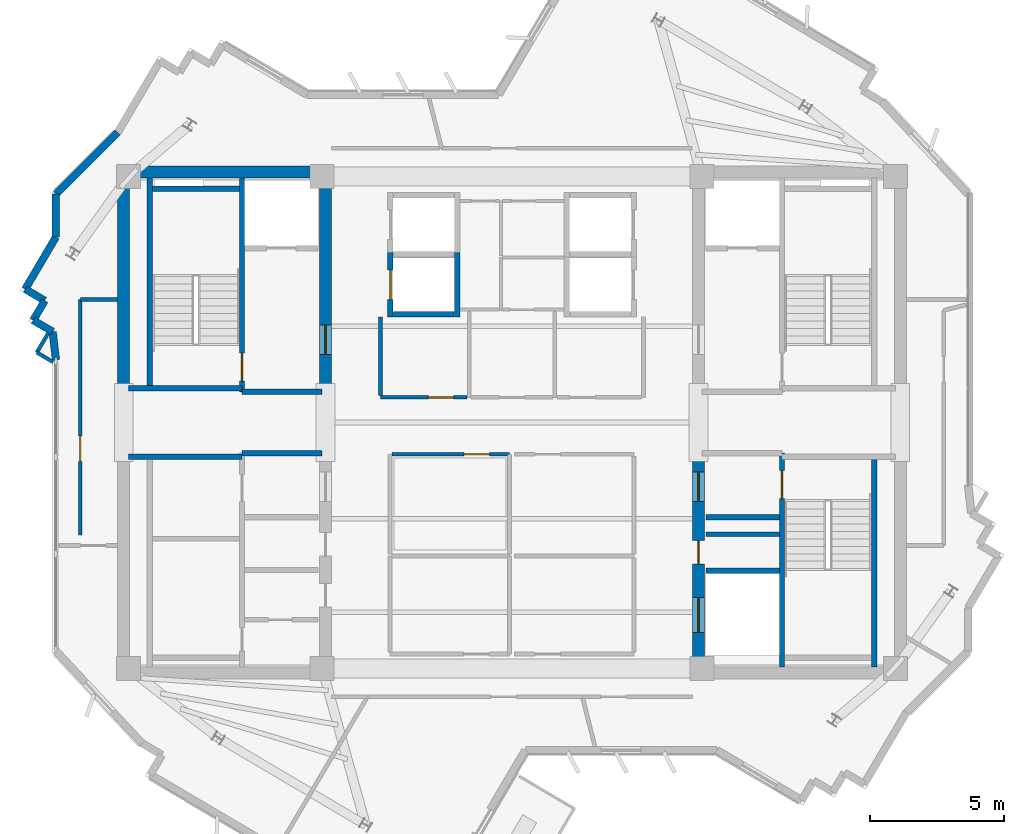
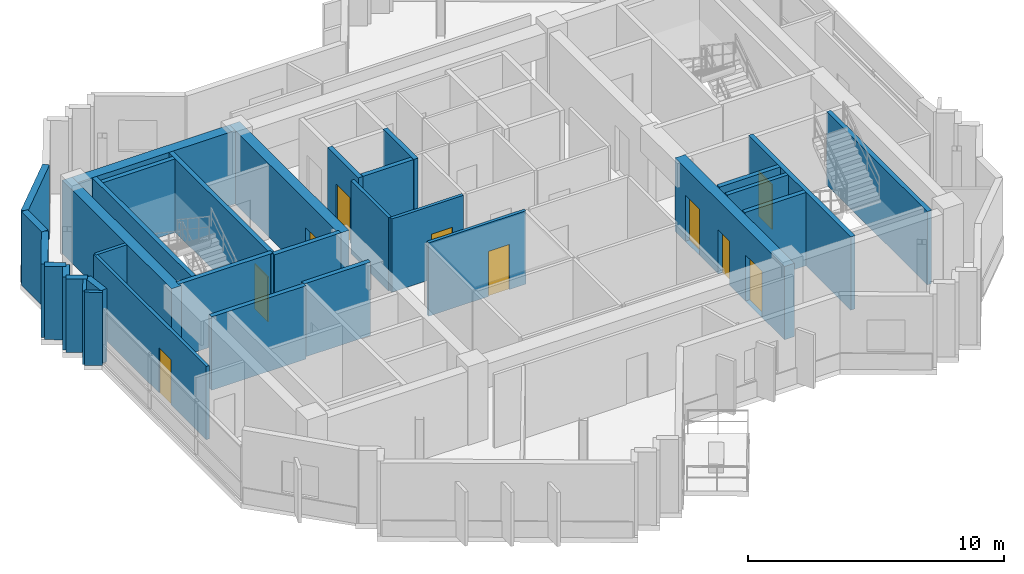
# One storey, part 5 of 10: 33 walls, 10 doors, 10 openings.
"""IFC4 building model written with IfcOpenShell, lengths in metres."""

from ifc_helpers import new_model, si_unit, direction, frame, frame_2d, origin, place, context, subcontext, project, spatial, rectangle, extrude, source, transform, mapped, material, layer, layer_set, type_object, element, fill, save


model = new_model("IFC4")

# Units and contexts
model_context = context("Model", 3, precision=1e-05, world=origin(), true_north=direction((0.0, 1.0)))
body_context = subcontext(model_context, "Body", "Model", "MODEL_VIEW")
ifc_project = project(units=[si_unit("LENGTHUNIT", "METRE"), si_unit("AREAUNIT", "SQUARE_METRE"), si_unit("VOLUMEUNIT", "CUBIC_METRE"), si_unit("PLANEANGLEUNIT", "RADIAN"), si_unit("MASSUNIT", "GRAM", prefix="KILO")], contexts=[model_context])

# Site, building, storey
site_placement = place(None, origin())
site = spatial("IfcSite", under=ifc_project, at=site_placement, CompositionType="ELEMENT")
building_placement = place(site_placement, origin())
building = spatial("IfcBuilding", under=site, at=building_placement, Name="Zahravan Cultural Tower", CompositionType="ELEMENT")
storey_placement = place(building_placement, frame((0.0, 0.0, 342.300048828125)))
storey = spatial("IfcBuildingStorey", under=building, at=storey_placement, Name="L83", CompositionType="ELEMENT", Elevation=342.300048828125)

# Wall, opening, door
ifc_material_1 = material(Name="Concrete C50/60", Category="concrete")
ifc_layer_1 = layer(ifc_material_1, 0.449951171875)
ifc_layer_set_1 = layer_set([ifc_layer_1], Name="Concrete C50/60")
wall_type_1 = type_object("IfcWallType", Name="CW-SHEAR-450-C50", PredefinedType="SHEAR", material=ifc_layer_set_1)
wall_1_placement = place(storey_placement, frame((29.02490234375, 28.050048828125, 0.0), z_axis=(0.0, 0.0, 1.0), x_axis=(0.0, 1.0, 0.0)))
wall_1 = element("IfcWall", 1, at=wall_1_placement, inside=storey, type_object=wall_type_1, Name="L83 Core Shear Wall CW-W-EN-L83", PredefinedType="SHEAR", context=body_context, shape_type="SweptSolid", body=[
    extrude(rectangle(XDim=8.550048828125, YDim=0.449951171875, at=frame_2d((4.27490234375, 0.0))), origin(), (0.0, 0.0, 1.0), 3.5),
])
opening_1_placement = place(wall_1_placement, frame((1.5, 0.0, 0.0)))
opening_1 = element("IfcOpeningElement", 2, at=opening_1_placement, cuts=wall_1, Name="Opening D-L83-06", PredefinedType="OPENING", context=body_context, shape_type="SweptSolid", body=[
    extrude(rectangle(XDim=1.10009765625, YDim=2.199951171875, at=frame_2d((0.550048828125, 1.10009765625))), frame((0.0, 0.23486328125, 0.0), z_axis=(0.0, -1.0, 0.0), x_axis=(1.0, 0.0, 0.0)), (0.0, 0.0, 1.0), 0.469970703125),
])
ifc_material_2 = material(Name="Steel ASTM A572 Grade 50", Category="steel")
door_type_1 = type_object("IfcDoorType", Name="DR-LOBBY-1100", OperationType="NOTDEFINED", PredefinedType="DOOR", material=ifc_material_2)
shared_shape_1 = source(origin(), body_context, "Body", "SweptSolid", [
    extrude(rectangle(XDim=1.10009765625, YDim=2.199951171875, at=frame_2d((0.550048828125, 1.10009765625))), frame((0.0, 0.02490234375, 0.0), z_axis=(0.0, -1.0, 0.0), x_axis=(1.0, 0.0, 0.0)), (0.0, 0.0, 1.0), 0.050048828125),
])
door_1_placement = place(opening_1_placement, origin())
door_1 = element("IfcDoor", 3, at=door_1_placement, inside=storey, type_object=door_type_1, Name="L83 Door D-L83-06", OperationType="SINGLE_SWING_LEFT", OverallHeight=2.199951171875, OverallWidth=1.10009765625, PredefinedType="DOOR", context=body_context, shape_type="MappedRepresentation", body=[
    mapped(shared_shape_1, transform((0.0, 0.0, 0.0), x_axis=(1.0, 0.0, 0.0), y_axis=(0.0, 1.0, 0.0), z_axis=(0.0, 0.0, 1.0), scale=1.0)),
])
fill(opening_1, door_1)

# Wall, openings, doors
wall_2_placement = place(storey_placement, frame((42.97509765625, 17.39990234375, 0.0), z_axis=(0.0, 0.0, 1.0), x_axis=(0.0, 1.0, 0.0)))
wall_2 = element("IfcWall", 4, at=wall_2_placement, inside=storey, type_object=wall_type_1, Name="L83 Core Shear Wall CW-E-WS-L83", PredefinedType="SHEAR", context=body_context, shape_type="SweptSolid", body=[
    extrude(rectangle(XDim=8.550048828125, YDim=0.449951171875, at=frame_2d((4.27490234375, 0.0))), origin(), (0.0, 0.0, 1.0), 3.5),
])
opening_2_placement = place(wall_2_placement, frame((6.64990234375, 0.0, 0.0)))
opening_2 = element("IfcOpeningElement", 5, at=opening_2_placement, cuts=wall_2, Name="Opening D-L83-09", PredefinedType="OPENING", context=body_context, shape_type="SweptSolid", body=[
    extrude(rectangle(XDim=1.10009765625, YDim=2.199951171875, at=frame_2d((0.550048828125, 1.10009765625))), frame((0.0, 0.23486328125, 0.0), z_axis=(0.0, -1.0, 0.0), x_axis=(1.0, 0.0, 0.0)), (0.0, 0.0, 1.0), 0.469970703125),
])
opening_3_placement = place(wall_2_placement, frame((1.75, 0.0, 0.0)))
opening_3 = element("IfcOpeningElement", 6, at=opening_3_placement, cuts=wall_2, Name="Opening LD-L83-03", PredefinedType="OPENING", context=body_context, shape_type="SweptSolid", body=[
    extrude(rectangle(XDim=1.300048828125, YDim=2.199951171875, at=frame_2d((0.64990234375, 1.10009765625))), frame((0.0, 0.23486328125, 0.0), z_axis=(0.0, -1.0, 0.0), x_axis=(1.0, 0.0, 0.0)), (0.0, 0.0, 1.0), 0.469970703125),
])
opening_4_placement = place(wall_2_placement, frame((4.300048828125, 0.0, 0.0)))
opening_4 = element("IfcOpeningElement", 7, at=opening_4_placement, cuts=wall_2, Name="Opening D-L83-13", PredefinedType="OPENING", context=body_context, shape_type="SweptSolid", body=[
    extrude(rectangle(XDim=0.8798828125, YDim=2.10009765625, at=frame_2d((0.43994140625, 1.050048828125))), frame((0.0, 0.23486328125, 0.0), z_axis=(0.0, -1.0, 0.0), x_axis=(1.0, 0.0, 0.0)), (0.0, 0.0, 1.0), 0.469970703125),
])
door_2_placement = place(opening_2_placement, origin())
door_2 = element("IfcDoor", 8, at=door_2_placement, inside=storey, type_object=door_type_1, Name="L83 Door D-L83-09", OperationType="SINGLE_SWING_RIGHT", OverallHeight=2.199951171875, OverallWidth=1.10009765625, PredefinedType="DOOR", context=body_context, shape_type="MappedRepresentation", body=[
    mapped(shared_shape_1, transform((0.0, 0.0, 0.0), x_axis=(1.0, 0.0, 0.0), y_axis=(0.0, 1.0, 0.0), z_axis=(0.0, 0.0, 1.0), scale=1.0)),
])
fill(opening_2, door_2)
door_type_2 = type_object("IfcDoorType", Name="DR-LIFT-1300", OperationType="DOUBLE_DOOR_SLIDING", PredefinedType="DOOR", material=ifc_material_2)
shared_shape_2 = source(origin(), body_context, "Body", "SweptSolid", [
    extrude(rectangle(XDim=1.300048828125, YDim=2.199951171875, at=frame_2d((0.64990234375, 1.10009765625))), frame((0.0, 0.02490234375, 0.0), z_axis=(0.0, -1.0, 0.0), x_axis=(1.0, 0.0, 0.0)), (0.0, 0.0, 1.0), 0.050048828125),
])
door_3_placement = place(opening_3_placement, origin())
door_3 = element("IfcDoor", 9, at=door_3_placement, inside=storey, type_object=door_type_2, Name="L83 Door LD-L83-03", OperationType="DOUBLE_DOOR_SLIDING", OverallHeight=2.199951171875, OverallWidth=1.300048828125, PredefinedType="DOOR", context=body_context, shape_type="MappedRepresentation", body=[
    mapped(shared_shape_2, transform((0.0, 0.0, 0.0), x_axis=(1.0, 0.0, 0.0), y_axis=(0.0, 1.0, 0.0), z_axis=(0.0, 0.0, 1.0), scale=1.0)),
])
fill(opening_3, door_3)
door_type_3 = type_object("IfcDoorType", Name="DR-SVC-880", OperationType="NOTDEFINED", PredefinedType="DOOR", material=ifc_material_2)
shared_shape_3 = source(origin(), body_context, "Body", "SweptSolid", [
    extrude(rectangle(XDim=0.8798828125, YDim=2.10009765625, at=frame_2d((0.43994140625, 1.050048828125))), frame((0.0, 0.02490234375, 0.0), z_axis=(0.0, -1.0, 0.0), x_axis=(1.0, 0.0, 0.0)), (0.0, 0.0, 1.0), 0.050048828125),
])
door_4_placement = place(opening_4_placement, origin())
door_4 = element("IfcDoor", 10, at=door_4_placement, inside=storey, type_object=door_type_3, Name="L83 Door D-L83-13", OperationType="SINGLE_SWING_RIGHT", OverallHeight=2.10009765625, OverallWidth=0.8798828125, PredefinedType="DOOR", context=body_context, shape_type="MappedRepresentation", body=[
    mapped(shared_shape_3, transform((0.0, 0.0, 0.0), x_axis=(1.0, 0.0, 0.0), y_axis=(0.0, 1.0, 0.0), z_axis=(0.0, 0.0, 1.0), scale=1.0)),
])
fill(opening_4, door_4)

# Wall, opening, door
ifc_material_3 = material(Name="Gypsum plasterboard partition")
ifc_layer_2 = layer(ifc_material_3, 0.139892578125)
ifc_layer_set_2 = layer_set([ifc_layer_2], Name="Gypsum plasterboard partition")
wall_type_2 = type_object("IfcWallType", Name="W-PART-140", PredefinedType="PARTITIONING", material=ifc_layer_set_2)
wall_3_placement = place(storey_placement, frame((34.324951171875, 27.93994140625, 0.0), z_axis=(0.0, 0.0, 1.0), x_axis=(-1.0, 0.0, 0.0)))
wall_3 = element("IfcWall", 11, at=wall_3_placement, inside=storey, type_object=wall_type_2, Name="L83 Interior Wall 054", PredefinedType="PARTITIONING", context=body_context, shape_type="SweptSolid", body=[
    extrude(rectangle(XDim=3.244873046875, YDim=0.139892578125, at=frame_2d((1.62255859375, 0.0))), origin(), (0.0, 0.0, 1.0), 3.5),
])
opening_5_placement = place(wall_3_placement, frame((0.5048828125, 0.0, 0.0)))
opening_5 = element("IfcOpeningElement", 12, at=opening_5_placement, cuts=wall_3, Name="Opening D-L83-20", PredefinedType="OPENING", context=body_context, shape_type="SweptSolid", body=[
    extrude(rectangle(XDim=0.949951171875, YDim=2.14990234375, at=frame_2d((0.47509765625, 1.074951171875))), frame((0.0, 0.079833984375, 0.0), z_axis=(0.0, -1.0, 0.0), x_axis=(1.0, 0.0, 0.0)), (0.0, 0.0, 1.0), 0.159912109375),
])
ifc_material_4 = material(Name="Anodised bronze-aluminium mullion", Category="aluminium")
door_type_4 = type_object("IfcDoorType", Name="DR-ROOM-950", OperationType="NOTDEFINED", PredefinedType="DOOR", material=ifc_material_4)
shared_shape_4 = source(origin(), body_context, "Body", "SweptSolid", [
    extrude(rectangle(XDim=0.949951171875, YDim=2.14990234375, at=frame_2d((0.47509765625, 1.074951171875))), frame((0.0, 0.02490234375, 0.0), z_axis=(0.0, -1.0, 0.0), x_axis=(1.0, 0.0, 0.0)), (0.0, 0.0, 1.0), 0.050048828125),
])
door_5_placement = place(opening_5_placement, origin())
door_5 = element("IfcDoor", 13, at=door_5_placement, inside=storey, type_object=door_type_4, Name="L83 Door D-L83-20", OperationType="SINGLE_SWING_LEFT", OverallHeight=2.14990234375, OverallWidth=0.949951171875, PredefinedType="DOOR", context=body_context, shape_type="MappedRepresentation", body=[
    mapped(shared_shape_4, transform((0.0, 0.0, 0.0), x_axis=(1.0, 0.0, 0.0), y_axis=(0.0, 1.0, 0.0), z_axis=(0.0, 0.0, 1.0), scale=1.0)),
])
fill(opening_5, door_5)

wall_4_placement = place(storey_placement, frame((31.514892578125, 25.81005859375, 0.0), z_axis=(0.0, 0.0, 1.0), x_axis=(1.0, 0.0, 0.0)))
wall_4 = element("IfcWall", 14, at=wall_4_placement, inside=storey, type_object=wall_type_2, Name="L83 Interior Wall 066", PredefinedType="PARTITIONING", context=body_context, shape_type="SweptSolid", body=[
    extrude(rectangle(XDim=4.39501953125, YDim=0.139892578125, at=frame_2d((2.197509765625, 0.0))), origin(), (0.0, 0.0, 1.0), 3.5),
])
opening_6_placement = place(wall_4_placement, frame((2.68701171875, 0.0, 0.0)))
opening_6 = element("IfcOpeningElement", 15, at=opening_6_placement, cuts=wall_4, Name="Opening D-L83-15", PredefinedType="OPENING", context=body_context, shape_type="SweptSolid", body=[
    extrude(rectangle(XDim=0.949951171875, YDim=2.14990234375, at=frame_2d((0.47509765625, 1.074951171875))), frame((0.0, 0.079833984375, 0.0), z_axis=(0.0, -1.0, 0.0), x_axis=(1.0, 0.0, 0.0)), (0.0, 0.0, 1.0), 0.159912109375),
])
door_6_placement = place(opening_6_placement, origin())
door_6 = element("IfcDoor", 16, at=door_6_placement, inside=storey, type_object=door_type_4, Name="L83 Door D-L83-15", OperationType="SINGLE_SWING_RIGHT", OverallHeight=2.14990234375, OverallWidth=0.949951171875, PredefinedType="DOOR", context=body_context, shape_type="MappedRepresentation", body=[
    mapped(shared_shape_4, transform((0.0, 0.0, 0.0), x_axis=(1.0, 0.0, 0.0), y_axis=(0.0, 1.0, 0.0), z_axis=(0.0, 0.0, 1.0), scale=1.0)),
])
fill(opening_6, door_6)

wall_5_placement = place(storey_placement, frame((19.8525390625, 31.59765625, 0.0), z_axis=(0.0, 0.0, 1.0), x_axis=(-0.00027740789, -0.999999961522, 0.0)))
wall_5 = element("IfcWall", 17, at=wall_5_placement, inside=storey, type_object=wall_type_2, Name="L83 Interior Wall 083", PredefinedType="PARTITIONING", context=body_context, shape_type="SweptSolid", body=[
    extrude(rectangle(XDim=8.80078125, YDim=0.139892578125, at=frame_2d((4.400390625, 0.0))), origin(), (0.0, 0.0, 1.0), 3.5),
])
opening_7_placement = place(wall_5_placement, frame((5.10302734375, 0.0, 0.0)))
opening_7 = element("IfcOpeningElement", 18, at=opening_7_placement, cuts=wall_5, Name="Opening D-L83-24", PredefinedType="OPENING", context=body_context, shape_type="SweptSolid", body=[
    extrude(rectangle(XDim=0.949951171875, YDim=2.14990234375, at=frame_2d((0.47509765625, 1.074951171875))), frame((0.0, 0.079833984375, 0.0), z_axis=(0.0, -1.0, 0.0), x_axis=(1.0, 0.0, 0.0)), (0.0, 0.0, 1.0), 0.159912109375),
])
door_7_placement = place(opening_7_placement, origin())
door_7 = element("IfcDoor", 19, at=door_7_placement, inside=storey, type_object=door_type_4, Name="L83 Door D-L83-24", OperationType="SINGLE_SWING_LEFT", OverallHeight=2.14990234375, OverallWidth=0.949951171875, PredefinedType="DOOR", context=body_context, shape_type="MappedRepresentation", body=[
    mapped(shared_shape_4, transform((0.0, 0.0, 0.0), x_axis=(1.0, 0.0, 0.0), y_axis=(0.0, 1.0, 0.0), z_axis=(0.0, 0.0, 1.0), scale=1.0)),
])
fill(opening_7, door_7)

ifc_material_5 = material(Name="Concrete C45/55", Category="concrete")
ifc_layer_3 = layer(ifc_material_5, 0.199951171875)
ifc_layer_set_3 = layer_set([ifc_layer_3], Name="Concrete C45/55")
wall_type_3 = type_object("IfcWallType", Name="W-SHAFT-200", PredefinedType="SOLIDWALL", material=ifc_layer_set_3)
wall_6_placement = place(storey_placement, frame((25.89990234375, 28.14990234375, 0.0), z_axis=(0.0, 0.0, 1.0), x_axis=(0.0, 1.0, 0.0)))
wall_6 = element("IfcWall", 20, at=wall_6_placement, inside=storey, type_object=wall_type_3, Name="L83 Interior Wall 006", PredefinedType="SOLIDWALL", context=body_context, shape_type="SweptSolid", body=[
    extrude(rectangle(XDim=8.0, YDim=0.199951171875, at=frame_2d((4.0, 0.0))), origin(), (0.0, 0.0, 1.0), 3.5),
])
opening_8_placement = place(wall_6_placement, frame((0.39990234375, 0.0, 0.0)))
opening_8 = element("IfcOpeningElement", 21, at=opening_8_placement, cuts=wall_6, Name="Opening D-L83-01", PredefinedType="OPENING", context=body_context, shape_type="SweptSolid", body=[
    extrude(rectangle(XDim=1.050048828125, YDim=2.14990234375, at=frame_2d((0.52490234375, 1.074951171875))), frame((0.0, 0.10986328125, 0.0), z_axis=(0.0, -1.0, 0.0), x_axis=(1.0, 0.0, 0.0)), (0.0, 0.0, 1.0), 0.219970703125),
])
door_type_5 = type_object("IfcDoorType", Name="DR-STAIR-1050", OperationType="NOTDEFINED", PredefinedType="DOOR", material=ifc_material_2)
shared_shape_5 = source(origin(), body_context, "Body", "SweptSolid", [
    extrude(rectangle(XDim=1.050048828125, YDim=2.14990234375, at=frame_2d((0.52490234375, 1.074951171875))), frame((0.0, 0.02490234375, 0.0), z_axis=(0.0, -1.0, 0.0), x_axis=(1.0, 0.0, 0.0)), (0.0, 0.0, 1.0), 0.050048828125),
])
door_8_placement = place(opening_8_placement, origin())
door_8 = element("IfcDoor", 22, at=door_8_placement, inside=storey, type_object=door_type_5, Name="L83 Door D-L83-01", OperationType="SINGLE_SWING_RIGHT", OverallHeight=2.14990234375, OverallWidth=1.050048828125, PredefinedType="DOOR", context=body_context, shape_type="MappedRepresentation", body=[
    mapped(shared_shape_5, transform((0.0, 0.0, 0.0), x_axis=(1.0, 0.0, 0.0), y_axis=(0.0, 1.0, 0.0), z_axis=(0.0, 0.0, 1.0), scale=1.0)),
])
fill(opening_8, door_8)

wall_7_placement = place(storey_placement, frame((46.10009765625, 17.85009765625, 0.0), z_axis=(0.0, 0.0, 1.0), x_axis=(0.0, 1.0, 0.0)))
wall_7 = element("IfcWall", 23, at=wall_7_placement, inside=storey, type_object=wall_type_3, Name="L83 Interior Wall 007", PredefinedType="SOLIDWALL", context=body_context, shape_type="SweptSolid", body=[
    extrude(rectangle(XDim=8.0, YDim=0.199951171875, at=frame_2d((4.0, 0.0))), origin(), (0.0, 0.0, 1.0), 3.5),
])
opening_9_placement = place(wall_7_placement, frame((6.300048828125, 0.0, 0.0)))
opening_9 = element("IfcOpeningElement", 24, at=opening_9_placement, cuts=wall_7, Name="Opening D-L83-03", PredefinedType="OPENING", context=body_context, shape_type="SweptSolid", body=[
    extrude(rectangle(XDim=1.050048828125, YDim=2.14990234375, at=frame_2d((0.52490234375, 1.074951171875))), frame((0.0, 0.10986328125, 0.0), z_axis=(0.0, -1.0, 0.0), x_axis=(1.0, 0.0, 0.0)), (0.0, 0.0, 1.0), 0.219970703125),
])
door_9_placement = place(opening_9_placement, origin())
door_9 = element("IfcDoor", 25, at=door_9_placement, inside=storey, type_object=door_type_5, Name="L83 Door D-L83-03", OperationType="SINGLE_SWING_RIGHT", OverallHeight=2.14990234375, OverallWidth=1.050048828125, PredefinedType="DOOR", context=body_context, shape_type="MappedRepresentation", body=[
    mapped(shared_shape_5, transform((0.0, 0.0, 0.0), x_axis=(1.0, 0.0, 0.0), y_axis=(0.0, 1.0, 0.0), z_axis=(0.0, 0.0, 1.0), scale=1.0)),
])
fill(opening_9, door_9)

wall_8_placement = place(storey_placement, frame((31.449951171875, 30.949951171875, 0.0), z_axis=(0.0, 0.0, 1.0), x_axis=(0.0, 1.0, 0.0)))
wall_8 = element("IfcWall", 26, at=wall_8_placement, inside=storey, type_object=wall_type_3, Name="L83 Interior Wall 034", PredefinedType="SOLIDWALL", context=body_context, shape_type="SweptSolid", body=[
    extrude(rectangle(XDim=2.400146484375, YDim=0.199951171875, at=frame_2d((1.2001953125, 0.0))), origin(), (0.0, 0.0, 1.0), 3.5),
])
opening_10_placement = place(wall_8_placement, frame((0.64990234375, 0.0, 0.0)))
opening_10 = element("IfcOpeningElement", 27, at=opening_10_placement, cuts=wall_8, Name="Opening LD-L83-05", PredefinedType="OPENING", context=body_context, shape_type="SweptSolid", body=[
    extrude(rectangle(XDim=1.10009765625, YDim=2.14990234375, at=frame_2d((0.550048828125, 1.074951171875))), frame((0.0, 0.10986328125, 0.0), z_axis=(0.0, -1.0, 0.0), x_axis=(1.0, 0.0, 0.0)), (0.0, 0.0, 1.0), 0.219970703125),
])
door_type_6 = type_object("IfcDoorType", Name="DR-LIFT-1100", OperationType="DOUBLE_DOOR_SLIDING", PredefinedType="DOOR", material=ifc_material_2)
shared_shape_6 = source(origin(), body_context, "Body", "SweptSolid", [
    extrude(rectangle(XDim=1.10009765625, YDim=2.14990234375, at=frame_2d((0.550048828125, 1.074951171875))), frame((0.0, 0.02490234375, 0.0), z_axis=(0.0, -1.0, 0.0), x_axis=(1.0, 0.0, 0.0)), (0.0, 0.0, 1.0), 0.050048828125),
])
door_10_placement = place(opening_10_placement, origin())
door_10 = element("IfcDoor", 28, at=door_10_placement, inside=storey, type_object=door_type_6, Name="L83 Door LD-L83-05", OperationType="DOUBLE_DOOR_SLIDING", OverallHeight=2.14990234375, OverallWidth=1.10009765625, PredefinedType="DOOR", context=body_context, shape_type="MappedRepresentation", body=[
    mapped(shared_shape_6, transform((0.0, 0.0, 0.0), x_axis=(1.0, 0.0, 0.0), y_axis=(0.0, 1.0, 0.0), z_axis=(0.0, 0.0, 1.0), scale=1.0)),
])
fill(opening_10, door_10)

# Walls
shared_shape_7 = source(origin(), body_context, "Body", "SweptSolid", [
    extrude(rectangle(XDim=8.550048828125, YDim=0.449951171875, at=frame_2d((4.27490234375, 0.0))), origin(), (0.0, 0.0, 1.0), 3.5),
])
wall_9_placement = place(storey_placement, frame((21.47509765625, 28.050048828125, 0.0), z_axis=(0.0, 0.0, 1.0), x_axis=(0.0, 1.0, 0.0)))
element("IfcWall", 29, at=wall_9_placement, inside=storey, type_object=wall_type_1, Name="L83 Core Shear Wall CW-W-WN-L83", PredefinedType="SHEAR", context=body_context, shape_type="MappedRepresentation", body=[
    mapped(shared_shape_7, transform((0.0, 0.0, 0.0), x_axis=(1.0, 0.0, 0.0), y_axis=(0.0, 1.0, 0.0), z_axis=(0.0, 0.0, 1.0), scale=1.0)),
])
shared_shape_8 = source(origin(), body_context, "Body", "SweptSolid", [
    extrude(rectangle(XDim=7.10009765625, YDim=0.449951171875, at=frame_2d((3.550048828125, 0.0))), origin(), (0.0, 0.0, 1.0), 3.5),
])
wall_10_placement = place(storey_placement, frame((21.699951171875, 36.375, 0.0), z_axis=(0.0, 0.0, 1.0), x_axis=(1.0, 0.0, 0.0)))
element("IfcWall", 30, at=wall_10_placement, inside=storey, type_object=wall_type_1, Name="L83 Core Shear Wall CW-W-N-L83", PredefinedType="SHEAR", context=body_context, shape_type="MappedRepresentation", body=[
    mapped(shared_shape_8, transform((0.0, 0.0, 0.0), x_axis=(1.0, 0.0, 0.0), y_axis=(0.0, 1.0, 0.0), z_axis=(0.0, 0.0, 1.0), scale=1.0)),
])
ifc_material_6 = material(Name="Precast concrete C40/50", Category="concrete")
ifc_layer_4 = layer(ifc_material_6, 0.280029296875)
ifc_layer_set_4 = layer_set([ifc_layer_4], Name="Precast concrete C40/50")
wall_type_4 = type_object("IfcWallType", Name="EW-TC-280", PredefinedType="SOLIDWALL", material=ifc_layer_set_4)
shared_shape_9 = source(origin(), body_context, "Body", "SweptSolid", [
    extrude(rectangle(XDim=0.85009765625, YDim=0.280029296875, at=frame_2d((0.425048828125, 0.0))), origin(), (0.0, 0.0, 1.0), 3.5),
])
for number, where, z_axis, x_axis, name in (
    (31, (18.820068359375, 30.3935546875, 0.0), (0.0, 0.0, 1.0), (-0.861320788154, 0.508061511919, 0.0), "L83 Exterior Masonry Frame Wall 34"),
    (32, (18.087890625, 30.825439453125, 0.0), (0.0, 0.0, 1.0), (0.508274533332, 0.861195099131, 0.0), "L83 Exterior Masonry Frame Wall 35"),
):
    element("IfcWall", number, at=place(storey_placement, frame(where, z_axis=z_axis, x_axis=x_axis)), inside=storey, type_object=wall_type_4, Name=name, PredefinedType="SOLIDWALL", context=body_context, shape_type="MappedRepresentation", body=[
        mapped(shared_shape_9, transform((0.0, 0.0, 0.0), x_axis=(1.0, 0.0, 0.0), y_axis=(0.0, 1.0, 0.0), z_axis=(0.0, 0.0, 1.0), scale=1.0)),
    ])
shared_shape_10 = source(origin(), body_context, "Body", "SweptSolid", [
    extrude(rectangle(XDim=0.849853515625, YDim=0.280029296875, at=frame_2d((0.4248046875, 0.0))), origin(), (0.0, 0.0, 1.0), 3.5),
])
wall_11_placement = place(storey_placement, frame((18.52001953125, 31.5576171875, 0.0), z_axis=(0.0, 0.0, 1.0), x_axis=(-0.861246626019, 0.508187218622, 0.0)))
element("IfcWall", 33, at=wall_11_placement, inside=storey, type_object=wall_type_4, Name="L83 Exterior Masonry Frame Wall 36", PredefinedType="SOLIDWALL", context=body_context, shape_type="MappedRepresentation", body=[
    mapped(shared_shape_10, transform((0.0, 0.0, 0.0), x_axis=(1.0, 0.0, 0.0), y_axis=(0.0, 1.0, 0.0), z_axis=(0.0, 0.0, 1.0), scale=1.0)),
])
shared_shape_11 = source(origin(), body_context, "Body", "SweptSolid", [
    extrude(rectangle(XDim=1.064697265625, YDim=0.280029296875, at=frame_2d((0.5322265625, 0.0))), origin(), (0.0, 0.0, 1.0), 3.5),
])
wall_12_placement = place(storey_placement, frame((18.93994140625, 29.335693359375, 0.0), z_axis=(0.0, 0.0, 1.0), x_axis=(-0.112595815397, 0.993640871923, 0.0)))
element("IfcWall", 34, at=wall_12_placement, inside=storey, type_object=wall_type_4, Name="L83 Exterior Masonry Frame Wall 33", PredefinedType="SOLIDWALL", context=body_context, shape_type="MappedRepresentation", body=[
    mapped(shared_shape_11, transform((0.0, 0.0, 0.0), x_axis=(1.0, 0.0, 0.0), y_axis=(0.0, 1.0, 0.0), z_axis=(0.0, 0.0, 1.0), scale=1.0)),
])
shared_shape_12 = source(origin(), body_context, "Body", "SweptSolid", [
    extrude(rectangle(XDim=2.266357421875, YDim=0.280029296875, at=frame_2d((1.13330078125, 0.0))), origin(), (0.0, 0.0, 1.0), 3.5),
])
wall_13_placement = place(storey_placement, frame((17.7880859375, 31.989501953125, 0.0), z_axis=(0.0, 0.0, 1.0), x_axis=(0.508224770074, 0.861224467304, 0.0)))
element("IfcWall", 35, at=wall_13_placement, inside=storey, type_object=wall_type_4, Name="L83 Exterior Masonry Frame Wall 37", PredefinedType="SOLIDWALL", context=body_context, shape_type="MappedRepresentation", body=[
    mapped(shared_shape_12, transform((0.0, 0.0, 0.0), x_axis=(1.0, 0.0, 0.0), y_axis=(0.0, 1.0, 0.0), z_axis=(0.0, 0.0, 1.0), scale=1.0)),
])
shared_shape_13 = source(origin(), body_context, "Body", "SweptSolid", [
    extrude(rectangle(XDim=1.6005859375, YDim=0.280029296875, at=frame_2d((0.80029296875, 0.0))), origin(), (0.0, 0.0, 1.0), 3.5),
])
wall_14_placement = place(storey_placement, frame((18.93994140625, 33.94140625, 0.0), z_axis=(0.0, 0.0, 1.0), x_axis=(0.0, 1.0, 0.0)))
element("IfcWall", 36, at=wall_14_placement, inside=storey, type_object=wall_type_4, Name="L83 Exterior Masonry Frame Wall 38", PredefinedType="SOLIDWALL", context=body_context, shape_type="MappedRepresentation", body=[
    mapped(shared_shape_13, transform((0.0, 0.0, 0.0), x_axis=(1.0, 0.0, 0.0), y_axis=(0.0, 1.0, 0.0), z_axis=(0.0, 0.0, 1.0), scale=1.0)),
])
shared_shape_14 = source(origin(), body_context, "Body", "SweptSolid", [
    extrude(rectangle(XDim=3.2607421875, YDim=0.280029296875, at=frame_2d((1.63037109375, 0.0))), origin(), (0.0, 0.0, 1.0), 3.5),
])
wall_15_placement = place(storey_placement, frame((18.93994140625, 35.5419921875, 0.0), z_axis=(0.0, 0.0, 1.0), x_axis=(0.707106781187, 0.707106781187, 0.0)))
element("IfcWall", 37, at=wall_15_placement, inside=storey, type_object=wall_type_4, Name="L83 Exterior Masonry Frame Wall 39", PredefinedType="SOLIDWALL", context=body_context, shape_type="MappedRepresentation", body=[
    mapped(shared_shape_14, transform((0.0, 0.0, 0.0), x_axis=(1.0, 0.0, 0.0), y_axis=(0.0, 1.0, 0.0), z_axis=(0.0, 0.0, 1.0), scale=1.0)),
])
shared_shape_15 = source(origin(), body_context, "Body", "SweptSolid", [
    extrude(rectangle(XDim=7.869873046875, YDim=0.199951171875, at=frame_2d((3.93505859375, 0.0))), origin(), (0.0, 0.0, 1.0), 3.5),
])
for number, where, z_axis, x_axis, name in (
    (38, (22.449951171875, 28.280029296875, 0.0), (0.0, 0.0, 1.0), (0.0, 1.0, 0.0), "L83 Interior Wall 002"),
    (39, (49.550048828125, 17.85009765625, 0.0), (0.0, 0.0, 1.0), (0.0, 1.0, 0.0), "L83 Interior Wall 003"),
):
    element("IfcWall", number, at=place(storey_placement, frame(where, z_axis=z_axis, x_axis=x_axis)), inside=storey, type_object=wall_type_3, Name=name, PredefinedType="SOLIDWALL", context=body_context, shape_type="MappedRepresentation", body=[
        mapped(shared_shape_15, transform((0.0, 0.0, 0.0), x_axis=(1.0, 0.0, 0.0), y_axis=(0.0, 1.0, 0.0), z_axis=(0.0, 0.0, 1.0), scale=1.0)),
    ])
shared_shape_16 = source(origin(), body_context, "Body", "SweptSolid", [
    extrude(rectangle(XDim=4.25, YDim=0.199951171875, at=frame_2d((2.125, 0.0))), origin(), (0.0, 0.0, 1.0), 3.5),
])
for number, where, z_axis, x_axis, name in (
    (40, (21.64990234375, 25.715087890625, 0.0), (0.0, 0.0, 1.0), (1.0, 0.0, 0.0), "L83 Interior Wall 009"),
    (41, (21.64990234375, 28.284912109375, 0.0), (0.0, 0.0, 1.0), (1.0, 0.0, 0.0), "L83 Interior Wall 011"),
):
    element("IfcWall", number, at=place(storey_placement, frame(where, z_axis=z_axis, x_axis=x_axis)), inside=storey, type_object=wall_type_3, Name=name, PredefinedType="SOLIDWALL", context=body_context, shape_type="MappedRepresentation", body=[
        mapped(shared_shape_16, transform((0.0, 0.0, 0.0), x_axis=(1.0, 0.0, 0.0), y_axis=(0.0, 1.0, 0.0), z_axis=(0.0, 0.0, 1.0), scale=1.0)),
    ])
shared_shape_17 = source(origin(), body_context, "Body", "SweptSolid", [
    extrude(rectangle(XDim=3.0, YDim=0.199951171875, at=frame_2d((1.5, 0.0))), origin(), (0.0, 0.0, 1.0), 3.5),
])
for number, where, z_axis, x_axis, name in (
    (42, (25.89990234375, 25.85009765625, 0.0), (0.0, 0.0, 1.0), (1.0, 0.0, 0.0), "L83 Interior Wall 010"),
    (43, (25.89990234375, 28.14990234375, 0.0), (0.0, 0.0, 1.0), (1.0, 0.0, 0.0), "L83 Interior Wall 012"),
):
    element("IfcWall", number, at=place(storey_placement, frame(where, z_axis=z_axis, x_axis=x_axis)), inside=storey, type_object=wall_type_3, Name=name, PredefinedType="SOLIDWALL", context=body_context, shape_type="MappedRepresentation", body=[
        mapped(shared_shape_17, transform((0.0, 0.0, 0.0), x_axis=(1.0, 0.0, 0.0), y_axis=(0.0, 1.0, 0.0), z_axis=(0.0, 0.0, 1.0), scale=1.0)),
    ])
shared_shape_18 = source(origin(), body_context, "Body", "SweptSolid", [
    extrude(rectangle(XDim=3.25, YDim=0.199951171875, at=frame_2d((1.625, 0.0))), origin(), (0.0, 0.0, 1.0), 3.5),
])
wall_16_placement = place(storey_placement, frame((22.550048828125, 35.75, 0.0), z_axis=(0.0, 0.0, 1.0), x_axis=(1.0, 0.0, 0.0)))
element("IfcWall", 44, at=wall_16_placement, inside=storey, type_object=wall_type_3, Name="L83 Interior Wall 017", PredefinedType="SOLIDWALL", context=body_context, shape_type="MappedRepresentation", body=[
    mapped(shared_shape_18, transform((0.0, 0.0, 0.0), x_axis=(1.0, 0.0, 0.0), y_axis=(0.0, 1.0, 0.0), z_axis=(0.0, 0.0, 1.0), scale=1.0)),
])
shared_shape_19 = source(origin(), body_context, "Body", "SweptSolid", [
    extrude(rectangle(XDim=2.75, YDim=0.199951171875, at=frame_2d((1.375, 0.0))), origin(), (0.0, 0.0, 1.0), 3.5),
])
for number, where, z_axis, x_axis, name in (
    (45, (43.25, 23.449951171875, 0.0), (0.0, 0.0, 1.0), (1.0, 0.0, 0.0), "L83 Interior Wall 025"),
    (46, (43.25, 21.449951171875, 0.0), (0.0, 0.0, 1.0), (1.0, 0.0, 0.0), "L83 Interior Wall 026"),
):
    element("IfcWall", number, at=place(storey_placement, frame(where, z_axis=z_axis, x_axis=x_axis)), inside=storey, type_object=wall_type_3, Name=name, PredefinedType="SOLIDWALL", context=body_context, shape_type="MappedRepresentation", body=[
        mapped(shared_shape_19, transform((0.0, 0.0, 0.0), x_axis=(1.0, 0.0, 0.0), y_axis=(0.0, 1.0, 0.0), z_axis=(0.0, 0.0, 1.0), scale=1.0)),
    ])
ifc_layer_5 = layer(ifc_material_3, 0.179931640625)
ifc_layer_set_5 = layer_set([ifc_layer_5], Name="Gypsum plasterboard partition")
wall_type_5 = type_object("IfcWallType", Name="W-COMP-180", PredefinedType="PARTITIONING", material=ifc_layer_set_5)
shared_shape_20 = source(origin(), body_context, "Body", "SweptSolid", [
    extrude(rectangle(XDim=2.75, YDim=0.179931640625, at=frame_2d((1.375, 0.0))), origin(), (0.0, 0.0, 1.0), 3.5),
])
wall_17_placement = place(storey_placement, frame((43.25, 22.820068359375, 0.0), z_axis=(0.0, 0.0, 1.0), x_axis=(1.0, 0.0, 0.0)))
element("IfcWall", 47, at=wall_17_placement, inside=storey, type_object=wall_type_5, Name="L83 Interior Wall 029", PredefinedType="PARTITIONING", context=body_context, shape_type="MappedRepresentation", body=[
    mapped(shared_shape_20, transform((0.0, 0.0, 0.0), x_axis=(1.0, 0.0, 0.0), y_axis=(0.0, 1.0, 0.0), z_axis=(0.0, 0.0, 1.0), scale=1.0)),
])
shared_shape_21 = source(origin(), body_context, "Body", "SweptSolid", [
    extrude(rectangle(XDim=2.400146484375, YDim=0.199951171875, at=frame_2d((1.2001953125, 0.0))), origin(), (0.0, 0.0, 1.0), 3.5),
])
wall_18_placement = place(storey_placement, frame((33.949951171875, 30.949951171875, 0.0), z_axis=(0.0, 0.0, 1.0), x_axis=(0.0, 1.0, 0.0)))
element("IfcWall", 48, at=wall_18_placement, inside=storey, type_object=wall_type_3, Name="L83 Interior Wall 035", PredefinedType="SOLIDWALL", context=body_context, shape_type="MappedRepresentation", body=[
    mapped(shared_shape_21, transform((0.0, 0.0, 0.0), x_axis=(1.0, 0.0, 0.0), y_axis=(0.0, 1.0, 0.0), z_axis=(0.0, 0.0, 1.0), scale=1.0)),
])
shared_shape_22 = source(origin(), body_context, "Body", "SweptSolid", [
    extrude(rectangle(XDim=2.260009765625, YDim=0.199951171875, at=frame_2d((1.1298828125, 0.0))), origin(), (0.0, 0.0, 1.0), 3.5),
])
wall_19_placement = place(storey_placement, frame((31.570068359375, 31.050048828125, 0.0), z_axis=(0.0, 0.0, 1.0), x_axis=(1.0, 0.0, 0.0)))
element("IfcWall", 49, at=wall_19_placement, inside=storey, type_object=wall_type_3, Name="L83 Interior Wall 036", PredefinedType="SOLIDWALL", context=body_context, shape_type="MappedRepresentation", body=[
    mapped(shared_shape_22, transform((0.0, 0.0, 0.0), x_axis=(1.0, 0.0, 0.0), y_axis=(0.0, 1.0, 0.0), z_axis=(0.0, 0.0, 1.0), scale=1.0)),
])
shared_shape_23 = source(origin(), body_context, "Body", "SweptSolid", [
    extrude(rectangle(XDim=2.93505859375, YDim=0.139892578125, at=frame_2d((1.467529296875, 0.0))), origin(), (0.0, 0.0, 1.0), 3.5),
])
wall_20_placement = place(storey_placement, frame((31.080078125, 28.014892578125, 0.0), z_axis=(0.0, 0.0, 1.0), x_axis=(0.0, 1.0, 0.0)))
element("IfcWall", 50, at=wall_20_placement, inside=storey, type_object=wall_type_2, Name="L83 Interior Wall 055", PredefinedType="PARTITIONING", context=body_context, shape_type="MappedRepresentation", body=[
    mapped(shared_shape_23, transform((0.0, 0.0, 0.0), x_axis=(1.0, 0.0, 0.0), y_axis=(0.0, 1.0, 0.0), z_axis=(0.0, 0.0, 1.0), scale=1.0)),
])
shared_shape_24 = source(origin(), body_context, "Body", "SweptSolid", [
    extrude(rectangle(XDim=1.392578125, YDim=0.139892578125, at=frame_2d((0.6962890625, 0.0))), origin(), (0.0, 0.0, 1.0), 3.5),
])
wall_21_placement = place(storey_placement, frame((21.2451171875, 31.599853515625, 0.0), z_axis=(0.0, 0.0, 1.0), x_axis=(-0.999998755213, -0.001577838148, 0.0)))
element("IfcWall", 51, at=wall_21_placement, inside=storey, type_object=wall_type_2, Name="L83 Interior Wall 082", PredefinedType="PARTITIONING", context=body_context, shape_type="MappedRepresentation", body=[
    mapped(shared_shape_24, transform((0.0, 0.0, 0.0), x_axis=(1.0, 0.0, 0.0), y_axis=(0.0, 1.0, 0.0), z_axis=(0.0, 0.0, 1.0), scale=1.0)),
])
shared_shape_25 = source(origin(), body_context, "Body", "SweptSolid", [
    extrude(rectangle(XDim=0.824951171875, YDim=0.139892578125, at=frame_2d((0.41259765625, 0.0))), origin(), (0.0, 0.0, 1.0), 3.5),
])
wall_22_placement = place(storey_placement, frame((18.223876953125, 29.618896484375, 0.0), z_axis=(0.0, 0.0, 1.0), x_axis=(0.507472658058, 0.861667860213, 0.0)))
element("IfcWall", 52, at=wall_22_placement, inside=storey, type_object=wall_type_2, Name="L83 Interior Wall 085", PredefinedType="PARTITIONING", context=body_context, shape_type="MappedRepresentation", body=[
    mapped(shared_shape_25, transform((0.0, 0.0, 0.0), x_axis=(1.0, 0.0, 0.0), y_axis=(0.0, 1.0, 0.0), z_axis=(0.0, 0.0, 1.0), scale=1.0)),
])
shared_shape_26 = source(origin(), body_context, "Body", "SweptSolid", [
    extrude(rectangle(XDim=0.703125, YDim=0.139892578125, at=frame_2d((0.3515625, 0.0))), origin(), (0.0, 0.0, 1.0), 3.5),
])
wall_23_placement = place(storey_placement, frame((18.829345703125, 29.26123046875, 0.0), z_axis=(0.0, 0.0, 1.0), x_axis=(-0.860995636403, 0.508612341666, 0.0)))
element("IfcWall", 53, at=wall_23_placement, inside=storey, type_object=wall_type_2, Name="L83 Interior Wall 084", PredefinedType="PARTITIONING", context=body_context, shape_type="MappedRepresentation", body=[
    mapped(shared_shape_26, transform((0.0, 0.0, 0.0), x_axis=(1.0, 0.0, 0.0), y_axis=(0.0, 1.0, 0.0), z_axis=(0.0, 0.0, 1.0), scale=1.0)),
])

save(model, "model.ifc")
